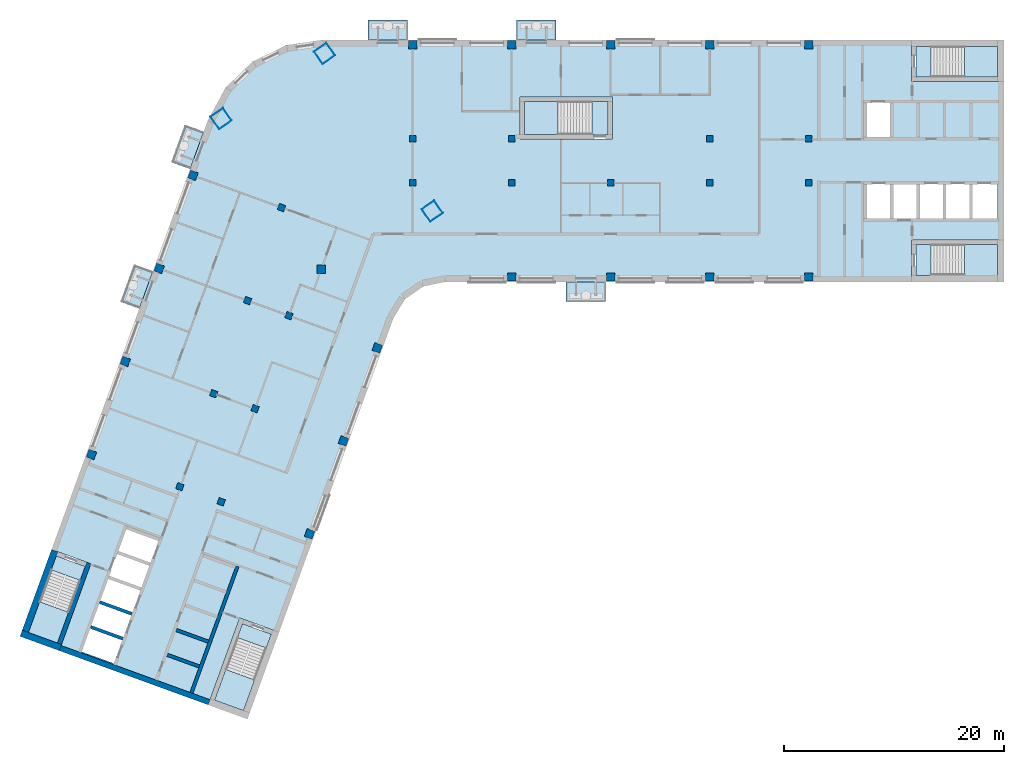
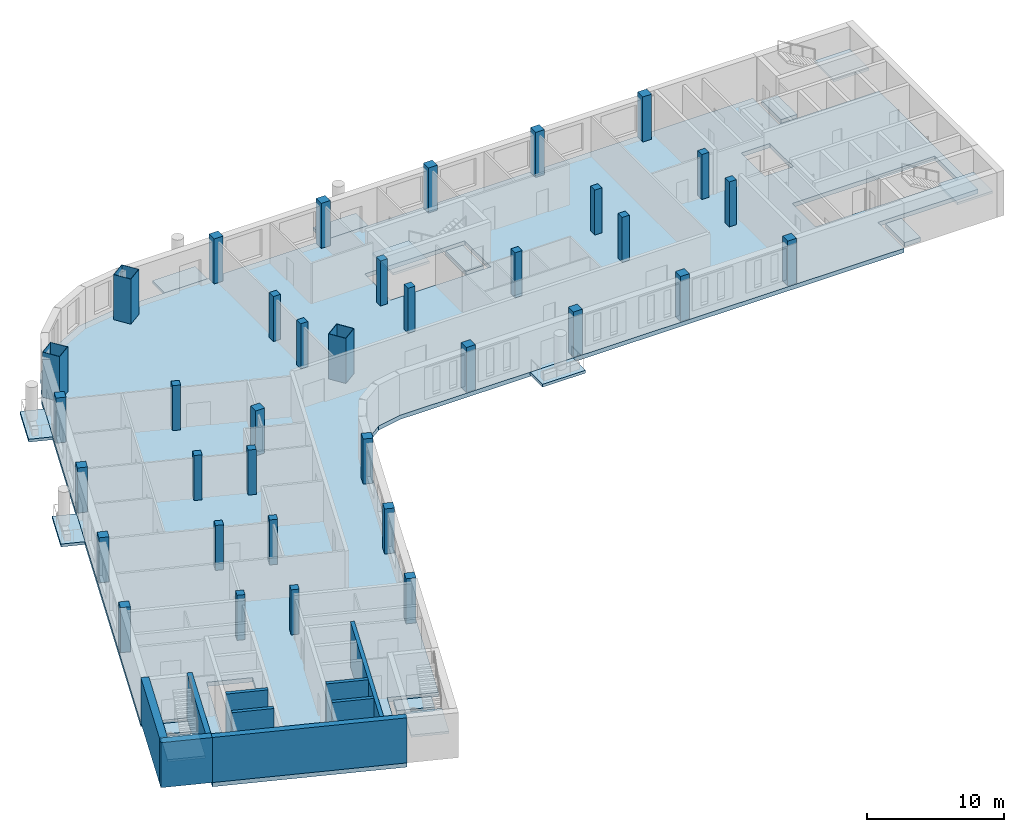
# One storey, part 1 of 10: 36 columns, 16 slabs, 9 walls, 5 elements without a shape of their own.
"""IFC4 building model written with IfcOpenShell, lengths in metres."""

from ifc_helpers import new_model, si_unit, direction, frame, frame_2d, origin, origin_2d, place, context, subcontext, project, spatial, polyline, rectangle, hollow_rectangle, outline, extrude, material, layer, layer_set, material_profile, profile_set, type_object, element, aggregate, save


model = new_model("IFC4")

# Units and contexts
model_context = context("Model", 3, precision=1e-05, world=origin(), true_north=direction((0.0, 1.0)))
body_context = subcontext(model_context, "Body", "Model", "MODEL_VIEW")
ifc_project = project(units=[si_unit("LENGTHUNIT", "METRE"), si_unit("AREAUNIT", "SQUARE_METRE"), si_unit("VOLUMEUNIT", "CUBIC_METRE"), si_unit("PLANEANGLEUNIT", "RADIAN"), si_unit("MASSUNIT", "GRAM", prefix="KILO")], contexts=[model_context])

# Site, building, storey
site_placement = place(None, origin())
site = spatial("IfcSite", under=ifc_project, at=site_placement, CompositionType="ELEMENT")
building_placement = place(site_placement, origin())
building = spatial("IfcBuilding", under=site, at=building_placement, Name="Skarvind Civic Tower", CompositionType="ELEMENT")
storey_placement = place(building_placement, frame((0.0, 0.0, 204.0)))
storey = spatial("IfcBuildingStorey", under=building, at=storey_placement, Name="L48", CompositionType="ELEMENT", Elevation=204.0)

# Columns
ifc_material_1 = material(Name="Concrete C60", Category="concrete")
ifc_material_profile_1 = material_profile(ifc_material_1, rectangle(XDim=0.60009765625, YDim=0.60009765625, at=origin_2d()), Name="RC-600x600")
ifc_profile_set_1 = profile_set([ifc_material_profile_1], Name="Concrete C60")
column_type_1 = type_object("IfcColumnType", Name="Column RC-600x600 C60", PredefinedType="COLUMN", material=ifc_profile_set_1)
for number, where, z_axis, x_axis, name in (
    (1, (54.25, 130.0, 0.0), (0.0, 0.0, 1.0), (1.0, 0.0, 0.0), "Column wing 1 north inner 02 L48"),
    (2, (63.25, 130.0, 0.0), (0.0, 0.0, 1.0), (1.0, 0.0, 0.0), "Column wing 1 north inner 03 L48"),
    (3, (81.25, 130.0, 0.0), (0.0, 0.0, 1.0), (1.0, 0.0, 0.0), "Column wing 1 north inner 05 L48"),
    (4, (90.25, 130.0, 0.0), (0.0, 0.0, 1.0), (1.0, 0.0, 0.0), "Column wing 1 north inner 06 L48"),
    (5, (54.25, 126.0, 0.0), (0.0, 0.0, 1.0), (1.0, 0.0, 0.0), "Column wing 1 south inner 02 L48"),
    (6, (63.25, 126.0, 0.0), (0.0, 0.0, 1.0), (1.0, 0.0, 0.0), "Column wing 1 south inner 03 L48"),
    (7, (72.25, 126.0, 0.0), (0.0, 0.0, 1.0), (1.0, 0.0, 0.0), "Column wing 1 south inner 04 L48"),
    (8, (81.25, 126.0, 0.0), (0.0, 0.0, 1.0), (1.0, 0.0, 0.0), "Column wing 1 south inner 05 L48"),
    (9, (90.25, 126.0, 0.0), (0.0, 0.0, 1.0), (1.0, 0.0, 0.0), "Column wing 1 south inner 06 L48"),
    (10, (43.005615234375, 113.92529296875, 0.0), (0.0, 0.0, 1.0), (-0.342020143326, -0.939692620786, 0.0), "Column wing 2 left inner 02 L48"),
    (11, (39.927490234375, 105.468017578125, 0.0), (0.0, 0.0, 1.0), (-0.342020143326, -0.939692620786, 0.0), "Column wing 2 left inner 03 L48"),
    (12, (36.84912109375, 97.010986328125, 0.0), (0.0, 0.0, 1.0), (-0.342020143326, -0.939692620786, 0.0), "Column wing 2 left inner 04 L48"),
    (13, (42.324951171875, 123.750732421875, 0.0), (0.0, 0.0, 1.0), (-0.342020143326, -0.939692620786, 0.0), "Column wing 2 right inner 01 L48"),
    (14, (39.246826171875, 115.29345703125, 0.0), (0.0, 0.0, 1.0), (-0.342020143326, -0.939692620786, 0.0), "Column wing 2 right inner 02 L48"),
    (15, (36.168701171875, 106.836181640625, 0.0), (0.0, 0.0, 1.0), (-0.342020143326, -0.939692620786, 0.0), "Column wing 2 right inner 03 L48"),
    (16, (33.090576171875, 98.37890625, 0.0), (0.0, 0.0, 1.0), (-0.342020143326, -0.939692620786, 0.0), "Column wing 2 right inner 04 L48"),
):
    element("IfcColumn", number, at=place(storey_placement, frame(where, z_axis=z_axis, x_axis=x_axis)), inside=storey, type_object=column_type_1, Name=name, PredefinedType="COLUMN", context=body_context, shape_type="SweptSolid", body=[
        extrude(rectangle(XDim=0.60009765625, YDim=0.60009765625, at=origin_2d()), origin(), (0.0, 0.0, 1.0), 4.0),
    ])
ifc_material_profile_2 = material_profile(ifc_material_1, rectangle(XDim=0.75, YDim=0.75, at=origin_2d()), Name="RC-750x750")
ifc_profile_set_2 = profile_set([ifc_material_profile_2], Name="Concrete C60")
column_type_2 = type_object("IfcColumnType", Name="Column RC-750x750 C60", PredefinedType="COLUMN", material=ifc_profile_set_2)
for number, where, z_axis, x_axis, name in (
    (17, (54.25, 138.550048828125, 0.0), (0.0, 0.0, 1.0), (1.0, 0.0, 0.0), "Column wing 1 north perimeter 02 L48"),
    (18, (63.25, 138.550048828125, 0.0), (0.0, 0.0, 1.0), (1.0, 0.0, 0.0), "Column wing 1 north perimeter 03 L48"),
    (19, (72.25, 138.550048828125, 0.0), (0.0, 0.0, 1.0), (1.0, 0.0, 0.0), "Column wing 1 north perimeter 04 L48"),
    (20, (81.25, 138.550048828125, 0.0), (0.0, 0.0, 1.0), (1.0, 0.0, 0.0), "Column wing 1 north perimeter 05 L48"),
    (21, (90.25, 138.550048828125, 0.0), (0.0, 0.0, 1.0), (1.0, 0.0, 0.0), "Column wing 1 north perimeter 06 L48"),
    (22, (45.95166015625, 118.151611328125, 0.0), (0.0, 0.0, 1.0), (1.0, 0.0, 0.0), "Column wing 1 south perimeter 01 L48"),
    (23, (63.25, 117.449951171875, 0.0), (0.0, 0.0, 1.0), (1.0, 0.0, 0.0), "Column wing 1 south perimeter 03 L48"),
    (24, (72.25, 117.449951171875, 0.0), (0.0, 0.0, 1.0), (1.0, 0.0, 0.0), "Column wing 1 south perimeter 04 L48"),
    (25, (81.25, 117.449951171875, 0.0), (0.0, 0.0, 1.0), (1.0, 0.0, 0.0), "Column wing 1 south perimeter 05 L48"),
    (26, (90.25, 117.449951171875, 0.0), (0.0, 0.0, 1.0), (1.0, 0.0, 0.0), "Column wing 1 south perimeter 06 L48"),
    (27, (51.0400390625, 111.0009765625, 0.0), (0.0, 0.0, 1.0), (-0.342020143326, -0.939692620786, 0.0), "Column wing 2 left perimeter 02 L48"),
    (28, (47.961669921875, 102.5439453125, 0.0), (0.0, 0.0, 1.0), (-0.342020143326, -0.939692620786, 0.0), "Column wing 2 left perimeter 03 L48"),
    (29, (44.883544921875, 94.086669921875, 0.0), (0.0, 0.0, 1.0), (-0.342020143326, -0.939692620786, 0.0), "Column wing 2 left perimeter 04 L48"),
    (30, (34.29052734375, 126.6748046875, 0.0), (0.0, 0.0, 1.0), (-0.342020143326, -0.939692620786, 0.0), "Column wing 2 right perimeter 01 L48"),
    (31, (31.21240234375, 118.2177734375, 0.0), (0.0, 0.0, 1.0), (-0.342020143326, -0.939692620786, 0.0), "Column wing 2 right perimeter 02 L48"),
    (32, (28.13427734375, 109.760498046875, 0.0), (0.0, 0.0, 1.0), (-0.342020143326, -0.939692620786, 0.0), "Column wing 2 right perimeter 03 L48"),
    (33, (25.05615234375, 101.30322265625, 0.0), (0.0, 0.0, 1.0), (-0.342020143326, -0.939692620786, 0.0), "Column wing 2 right perimeter 04 L48"),
):
    element("IfcColumn", number, at=place(storey_placement, frame(where, z_axis=z_axis, x_axis=x_axis)), inside=storey, type_object=column_type_2, Name=name, PredefinedType="COLUMN", context=body_context, shape_type="SweptSolid", body=[
        extrude(rectangle(XDim=0.75, YDim=0.75, at=origin_2d()), origin(), (0.0, 0.0, 1.0), 4.0),
    ])
ifc_material_2 = material(Name="Composite concrete-filled steel tube, Steel SM355 with Concrete C60", Category="concrete")
ifc_material_profile_3 = material_profile(ifc_material_2, hollow_rectangle(XDim=1.39990234375, YDim=1.39990234375, WallThickness=0.031982421875, at=origin_2d()), Name="BOX-1400x1400x32")
ifc_profile_set_3 = profile_set([ifc_material_profile_3], Name="Composite concrete-filled steel tube, Steel SM355 with Concrete C60")
column_type_3 = type_object("IfcColumnType", Name="Mega column BOX-1400x1400x32 filled C60", PredefinedType="COLUMN", material=ifc_profile_set_3)
for number, where, z_axis, x_axis, name in (
    (34, (36.845947265625, 131.837646484375, 0.0), (0.0, 0.0, 1.0), (0.573576436351, -0.819152044289, 0.0), "Mega column 1 L48"),
    (35, (46.2470703125, 137.762451171875, 0.0), (0.0, 0.0, 1.0), (0.573576436351, -0.819152044289, 0.0), "Mega column 2 L48"),
    (36, (56.0361328125, 123.43017578125, 0.0), (0.0, 0.0, 1.0), (0.573576436351, -0.819152044289, 0.0), "Mega column 4 L48"),
):
    element("IfcColumn", number, at=place(storey_placement, frame(where, z_axis=z_axis, x_axis=x_axis)), inside=storey, type_object=column_type_3, Name=name, PredefinedType="COLUMN", context=body_context, shape_type="SweptSolid", body=[
        extrude(hollow_rectangle(XDim=1.39990234375, YDim=1.39990234375, WallThickness=0.031982421875, at=origin_2d()), origin(), (0.0, 0.0, 1.0), 4.0),
    ])

# Slabs
ifc_material_3 = material(Name="Concrete C50", Category="concrete")
ifc_layer_1 = layer(ifc_material_3, 0.375)
ifc_layer_set_1 = layer_set([ifc_layer_1], Name="Floor slab 375 C50")
slab_type_1 = type_object("IfcSlabType", Name="Floor slab 375 C50", PredefinedType="FLOOR", material=ifc_layer_set_1)
slab_1_placement = place(storey_placement, frame((0.0, 0.0, -0.375)))
element("IfcSlab", 37, at=slab_1_placement, inside=storey, type_object=slab_type_1, Name="Floor slab L48 1", PredefinedType="FLOOR", context=body_context, shape_type="SweptSolid", body=[
    extrude(outline(polyline([(99.60009765625, 117.0), (99.60009765625, 120.800048828125), (108.0, 120.800048828125), (108.0, 135.199951171875), (99.60009765625, 135.199951171875), (99.60009765625, 139.0), (46.095458984375, 139.0), (42.739501953125, 138.5009765625), (39.6943359375, 137.005615234375), (37.24755859375, 134.6552734375), (35.630615234375, 131.672607421875), (19.41748046875, 87.126708984375), (21.435302734375, 92.6708984375), (25.006103515625, 91.371337890625), (22.13330078125, 83.477783203125), (36.886474609375, 78.108154296875), (35.664794921875, 78.552734375), (38.53759765625, 86.4462890625), (42.108642578125, 85.146484375), (40.0908203125, 79.602294921875), (40.0908203125, 79.602294921875), (52.493896484375, 113.68017578125), (53.560791015625, 115.421630859375), (55.23388671875, 116.593017578125), (57.235107421875, 117.0), (99.60009765625, 117.0)]), holes=[polyline([(25.671630859375, 87.9365234375), (26.492431640625, 90.19189453125), (27.313232421875, 92.447021484375), (28.134033203125, 94.702392578125), (31.3291015625, 93.53955078125), (30.50830078125, 91.2841796875), (29.6875, 89.029052734375), (28.866455078125, 86.773681640625), (28.866455078125, 86.773681640625), (28.045654296875, 84.5185546875), (27.224853515625, 82.26318359375), (24.02978515625, 83.426025390625), (24.8505859375, 85.681396484375), (25.671630859375, 87.9365234375), (25.671630859375, 87.9365234375)]), polyline([(64.0, 130.0), (64.0, 133.800048828125), (72.39990234375, 133.800048828125), (72.39990234375, 130.0), (64.0, 130.0)]), polyline([(97.800048828125, 126.0), (100.199951171875, 126.0), (102.60009765625, 126.0), (105.0, 126.0), (107.39990234375, 126.0), (107.39990234375, 122.60009765625), (105.0, 122.60009765625), (102.60009765625, 122.60009765625), (100.199951171875, 122.60009765625), (97.800048828125, 122.60009765625), (95.39990234375, 122.60009765625), (95.39990234375, 126.0), (97.800048828125, 126.0)]), polyline([(97.800048828125, 133.39990234375), (97.800048828125, 130.0), (95.39990234375, 130.0), (95.39990234375, 133.39990234375), (97.800048828125, 133.39990234375)])]), origin(), (0.0, 0.0, 1.0), 0.375),
])
ifc_material_4 = material(Name="Precast concrete C40/50", Category="concrete")
ifc_layer_2 = layer(ifc_material_4, 0.25)
ifc_layer_set_2 = layer_set([ifc_layer_2], Name="SX3 BALCONY SLAB 250")
slab_type_2 = type_object("IfcSlabType", Name="SX3 BALCONY SLAB 250", PredefinedType="FLOOR", material=ifc_layer_set_2)
slab_2_placement = place(storey_placement, frame((0.0, 0.0, -0.25)))
element("IfcSlab", 38, at=slab_2_placement, inside=storey, type_object=slab_type_2, Name="TREE BALCONY SLAB", PredefinedType="FLOOR", context=body_context, shape_type="SweptSolid", body=[
    extrude(outline(polyline([(71.800048828125, 117.0), (68.199951171875, 117.0), (68.199951171875, 115.199951171875), (71.800048828125, 115.199951171875), (71.800048828125, 117.0)])), origin(), (0.0, 0.0, 1.0), 0.25),
])
slab_3_placement = place(storey_placement, frame((0.0, 0.0, -0.25)))
element("IfcSlab", 39, at=slab_3_placement, inside=storey, type_object=slab_type_2, Name="TREE BALCONY SLAB", PredefinedType="FLOOR", context=body_context, shape_type="SweptSolid", body=[
    extrude(outline(polyline([(50.199951171875, 139.0), (53.800048828125, 139.0), (53.800048828125, 140.800048828125), (50.199951171875, 140.800048828125), (50.199951171875, 139.0)])), origin(), (0.0, 0.0, 1.0), 0.25),
])
slab_4_placement = place(storey_placement, frame((0.0, 0.0, -0.25)))
element("IfcSlab", 40, at=slab_4_placement, inside=storey, type_object=slab_type_2, Name="TREE BALCONY SLAB", PredefinedType="FLOOR", context=body_context, shape_type="SweptSolid", body=[
    extrude(outline(polyline([(63.699951171875, 139.0), (67.300048828125, 139.0), (67.300048828125, 140.800048828125), (63.699951171875, 140.800048828125), (63.699951171875, 139.0)])), origin(), (0.0, 0.0, 1.0), 0.25),
])
slab_5_placement = place(storey_placement, frame((0.0, 0.0, -0.25)))
element("IfcSlab", 41, at=slab_5_placement, inside=storey, type_object=slab_type_2, Name="TREE BALCONY SLAB", PredefinedType="FLOOR", context=body_context, shape_type="SweptSolid", body=[
    extrude(outline(polyline([(29.404296875, 114.56591796875), (30.6357421875, 117.94873046875), (28.9443359375, 118.564453125), (27.712890625, 115.181396484375), (29.404296875, 114.56591796875)])), origin(), (0.0, 0.0, 1.0), 0.25),
])
slab_6_placement = place(storey_placement, frame((0.0, 0.0, -0.25)))
element("IfcSlab", 42, at=slab_6_placement, inside=storey, type_object=slab_type_2, Name="TREE BALCONY SLAB", PredefinedType="FLOOR", context=body_context, shape_type="SweptSolid", body=[
    extrude(outline(polyline([(34.021728515625, 127.251708984375), (35.2529296875, 130.634521484375), (33.5615234375, 131.250244140625), (32.330322265625, 127.867431640625), (34.021728515625, 127.251708984375)])), origin(), (0.0, 0.0, 1.0), 0.25),
])
ifc_material_5 = material(Name="Concrete C40/50", Category="concrete")
ifc_layer_3 = layer(ifc_material_5, 0.375)
ifc_layer_set_3 = layer_set([ifc_layer_3], Name="Stair floor landing slab 375")
slab_type_3 = type_object("IfcSlabType", Name="Stair floor landing slab 375", PredefinedType="LANDING", material=ifc_layer_set_3)
slab_7_placement = place(storey_placement, frame((0.0, 0.0, -0.375)))
element("IfcSlab", 43, at=slab_7_placement, inside=storey, type_object=slab_type_3, Name="Stair floor landing", PredefinedType="LANDING", context=body_context, shape_type="SweptSolid", body=[
    extrude(outline(polyline([(101.3505859375, 138.400634765625), (101.3505859375, 135.599365234375), (99.99951171875, 135.599365234375), (99.99951171875, 138.400634765625), (101.3505859375, 138.400634765625)])), origin(), (0.0, 0.0, 1.0), 0.375),
])
slab_8_placement = place(storey_placement, frame((0.0, 0.0, -0.375)))
element("IfcSlab", 44, at=slab_8_placement, inside=storey, type_object=slab_type_3, Name="Stair floor landing", PredefinedType="LANDING", context=body_context, shape_type="SweptSolid", body=[
    extrude(outline(polyline([(101.3505859375, 120.400634765625), (101.3505859375, 117.599365234375), (99.99951171875, 117.599365234375), (99.99951171875, 120.400634765625), (101.3505859375, 120.400634765625)])), origin(), (0.0, 0.0, 1.0), 0.375),
])
slab_9_placement = place(storey_placement, frame((0.0, 0.0, -0.375)))
element("IfcSlab", 45, at=slab_9_placement, inside=storey, type_object=slab_type_3, Name="Stair floor landing", PredefinedType="LANDING", context=body_context, shape_type="SweptSolid", body=[
    extrude(outline(polyline([(40.946533203125, 83.70654296875), (38.314208984375, 84.66455078125), (38.7763671875, 85.934326171875), (41.40869140625, 84.976318359375), (40.946533203125, 83.70654296875)])), origin(), (0.0, 0.0, 1.0), 0.375),
])
slab_10_placement = place(storey_placement, frame((0.0, 0.0, -0.375)))
element("IfcSlab", 46, at=slab_10_placement, inside=storey, type_object=slab_type_3, Name="Stair floor landing", PredefinedType="LANDING", context=body_context, shape_type="SweptSolid", body=[
    extrude(outline(polyline([(24.0322265625, 89.863037109375), (21.39990234375, 90.821044921875), (21.862060546875, 92.090576171875), (24.494384765625, 91.132568359375), (24.0322265625, 89.863037109375)])), origin(), (0.0, 0.0, 1.0), 0.375),
])
slab_11_placement = place(storey_placement, frame((0.0, 0.0, -0.375)))
element("IfcSlab", 47, at=slab_11_placement, inside=storey, type_object=slab_type_3, Name="Stair floor landing", PredefinedType="LANDING", context=body_context, shape_type="SweptSolid", body=[
    extrude(outline(polyline([(70.54931640625, 130.3994140625), (70.54931640625, 133.400634765625), (72.00048828125, 133.400634765625), (72.00048828125, 130.3994140625), (70.54931640625, 130.3994140625)])), origin(), (0.0, 0.0, 1.0), 0.375),
])

# Stair, slab
stair_type_1 = type_object("IfcStairType", Name="Exit stair, half-turn, concrete", PredefinedType="HALF_TURN_STAIR", material=ifc_material_5)
stair_1_placement = place(storey_placement, origin())
stair_1 = element("IfcStair", 48, at=stair_1_placement, inside=storey, type_object=stair_type_1, Name="Exit stair C1S", PredefinedType="HALF_TURN_STAIR")
ifc_layer_4 = layer(ifc_material_5, 0.199951171875)
ifc_layer_set_4 = layer_set([ifc_layer_4], Name="Stair half landing slab")
slab_type_4 = type_object("IfcSlabType", Name="Stair half landing slab", PredefinedType="LANDING", material=ifc_layer_set_4)
slab_12_placement = place(storey_placement, frame((0.0, 0.0, 1.800048828125)))
slab_12 = element("IfcSlab", 49, at=slab_12_placement, type_object=slab_type_4, Name="ST-C1S landing 1", PredefinedType="LANDING", context=body_context, shape_type="SweptSolid", body=[
    extrude(outline(polyline([(104.429443359375, 135.599365234375), (104.429443359375, 138.400634765625), (107.400634765625, 138.400634765625), (107.400634765625, 135.599365234375), (104.429443359375, 135.599365234375)])), origin(), (0.0, 0.0, 1.0), 0.199951171875),
])
aggregate(stair_1, [slab_12])

stair_2_placement = place(storey_placement, origin())
stair_2 = element("IfcStair", 50, at=stair_2_placement, inside=storey, type_object=stair_type_1, Name="Exit stair C1N", PredefinedType="HALF_TURN_STAIR")
slab_13_placement = place(storey_placement, frame((0.0, 0.0, 1.800048828125)))
slab_13 = element("IfcSlab", 51, at=slab_13_placement, type_object=slab_type_4, Name="ST-C1N landing 1", PredefinedType="LANDING", context=body_context, shape_type="SweptSolid", body=[
    extrude(outline(polyline([(104.429443359375, 117.599365234375), (104.429443359375, 120.400634765625), (107.400634765625, 120.400634765625), (107.400634765625, 117.599365234375), (104.429443359375, 117.599365234375)])), origin(), (0.0, 0.0, 1.0), 0.199951171875),
])
aggregate(stair_2, [slab_13])

stair_3_placement = place(storey_placement, origin())
stair_3 = element("IfcStair", 52, at=stair_3_placement, inside=storey, type_object=stair_type_1, Name="Exit stair C2S", PredefinedType="HALF_TURN_STAIR")
slab_14_placement = place(storey_placement, frame((0.0, 0.0, 1.800048828125)))
slab_14 = element("IfcSlab", 53, at=slab_14_placement, type_object=slab_type_4, Name="ST-C2S landing 1", PredefinedType="LANDING", context=body_context, shape_type="SweptSolid", body=[
    extrude(outline(polyline([(37.26123046875, 81.771484375), (39.8935546875, 80.8134765625), (38.87744140625, 78.021484375), (36.2451171875, 78.9794921875), (37.26123046875, 81.771484375)])), origin(), (0.0, 0.0, 1.0), 0.199951171875),
])
aggregate(stair_3, [slab_14])

stair_4_placement = place(storey_placement, origin())
stair_4 = element("IfcStair", 54, at=stair_4_placement, inside=storey, type_object=stair_type_1, Name="Exit stair C2N", PredefinedType="HALF_TURN_STAIR")
slab_15_placement = place(storey_placement, frame((0.0, 0.0, 1.800048828125)))
slab_15 = element("IfcSlab", 55, at=slab_15_placement, type_object=slab_type_4, Name="ST-C2N landing 1", PredefinedType="LANDING", context=body_context, shape_type="SweptSolid", body=[
    extrude(outline(polyline([(20.346923828125, 87.927734375), (22.97900390625, 86.9697265625), (21.962890625, 84.177734375), (19.33056640625, 85.1357421875), (20.346923828125, 87.927734375)])), origin(), (0.0, 0.0, 1.0), 0.199951171875),
])
aggregate(stair_4, [slab_15])

stair_type_2 = type_object("IfcStairType", Name="Exit stair 1450, half-turn, concrete", PredefinedType="HALF_TURN_STAIR", material=ifc_material_5)
stair_5_placement = place(storey_placement, origin())
stair_5 = element("IfcStair", 56, at=stair_5_placement, inside=storey, type_object=stair_type_2, Name="Exit stair CM", PredefinedType="HALF_TURN_STAIR")
slab_16_placement = place(storey_placement, frame((0.0, 0.0, 1.800048828125)))
slab_16 = element("IfcSlab", 57, at=slab_16_placement, type_object=slab_type_4, Name="ST-CM landing 1", PredefinedType="LANDING", context=body_context, shape_type="SweptSolid", body=[
    extrude(outline(polyline([(67.470703125, 133.400634765625), (67.470703125, 130.3994140625), (64.3994140625, 130.3994140625), (64.3994140625, 133.400634765625), (67.470703125, 133.400634765625)])), origin(), (0.0, 0.0, 1.0), 0.199951171875),
])
aggregate(stair_5, [slab_16])

# Walls
ifc_layer_5 = layer(ifc_material_1, 0.300048828125)
ifc_layer_set_5 = layer_set([ifc_layer_5], Name="Core wall 300 C60")
wall_type_1 = type_object("IfcWallType", Name="Core wall 300 C60", PredefinedType="SHEAR", material=ifc_layer_set_5)
wall_1_placement = place(storey_placement, frame((34.144287109375, 79.638427734375, 0.0), z_axis=(0.0, 0.0, 1.0), x_axis=(0.342016684409, 0.939693879721, 0.0)))
element("IfcWall", 58, at=wall_1_placement, inside=storey, type_object=wall_type_1, Name="Core wall C2 south lift row back L48", PredefinedType="SHEAR", context=body_context, shape_type="SweptSolid", body=[
    extrude(rectangle(XDim=12.25, YDim=0.300048828125, at=frame_2d((6.125, 0.0))), origin(), (0.0, 0.0, 1.0), 4.0),
])
wall_2_placement = place(storey_placement, frame((34.8583984375, 82.038818359375, 0.0), z_axis=(0.0, 0.0, 1.0), x_axis=(-0.939689908313, 0.342027595692, 0.0)))
element("IfcWall", 59, at=wall_2_placement, inside=storey, type_object=wall_type_1, Name="Core wall C2 south lift row division 1 L48", PredefinedType="SHEAR", context=body_context, shape_type="SweptSolid", body=[
    extrude(rectangle(XDim=3.10009765625, YDim=0.300048828125, at=frame_2d((1.550048828125, 0.0))), origin(), (0.0, 0.0, 1.0), 4.0),
])
wall_3_placement = place(storey_placement, frame((35.67919921875, 84.294189453125, 0.0), z_axis=(0.0, 0.0, 1.0), x_axis=(-0.939706007505, 0.341983361377, 0.0)))
element("IfcWall", 60, at=wall_3_placement, inside=storey, type_object=wall_type_1, Name="Core wall C2 south lift row division 2 L48", PredefinedType="SHEAR", context=body_context, shape_type="SweptSolid", body=[
    extrude(rectangle(XDim=3.099853515625, YDim=0.300048828125, at=frame_2d((1.5498046875, 0.0))), origin(), (0.0, 0.0, 1.0), 4.0),
])
for number, where, z_axis, x_axis, name in (
    (61, (27.90478515625, 84.56982421875, 0.0), (0.0, 0.0, 1.0), (-0.939689908313, 0.342027595692, 0.0), "Core wall C2 north lift row division 1 L48"),
    (62, (28.7255859375, 86.824951171875, 0.0), (0.0, 0.0, 1.0), (-0.939689908313, 0.342027595692, 0.0), "Core wall C2 north lift row division 2 L48"),
):
    element("IfcWall", number, at=place(storey_placement, frame(where, z_axis=z_axis, x_axis=x_axis)), inside=storey, type_object=wall_type_1, Name=name, PredefinedType="SHEAR", context=body_context, shape_type="SweptSolid", body=[
        extrude(rectangle(XDim=3.10009765625, YDim=0.300048828125, at=frame_2d((1.550048828125, 0.0))), origin(), (0.0, 0.0, 1.0), 4.0),
    ])
ifc_layer_6 = layer(ifc_material_1, 0.39990234375)
ifc_layer_set_6 = layer_set([ifc_layer_6], Name="Core wall 400 C60")
wall_type_2 = type_object("IfcWallType", Name="Core wall 400 C60", PredefinedType="SHEAR", material=ifc_layer_set_6)
wall_4_placement = place(storey_placement, frame((22.150390625, 84.110107421875, 0.0), z_axis=(0.0, 0.0, 1.0), x_axis=(0.342016982193, 0.939693771338, 0.0)))
element("IfcWall", 63, at=wall_4_placement, inside=storey, type_object=wall_type_2, Name="Core wall C2 north stair inner L48", PredefinedType="SHEAR", context=body_context, shape_type="SweptSolid", body=[
    extrude(rectangle(XDim=7.800048828125, YDim=0.39990234375, at=frame_2d((3.89990234375, 0.0))), origin(), (0.0, 0.0, 1.0), 4.0),
])
ifc_layer_7 = layer(ifc_material_1, 0.5)
ifc_layer_set_7 = layer_set([ifc_layer_7], Name="Core wall 500 C60")
wall_type_3 = type_object("IfcWallType", Name="Core wall 500 C60", PredefinedType="SHEAR", material=ifc_layer_set_7)
wall_5_placement = place(storey_placement, frame((35.750244140625, 78.787841796875, 0.0), z_axis=(0.0, 0.0, 1.0), x_axis=(-0.939692894512, 0.342019391267, 0.0)))
element("IfcWall", 64, at=wall_5_placement, inside=storey, type_object=wall_type_3, Name="Core wall C2 tip between the stairs L48", PredefinedType="SHEAR", context=body_context, shape_type="SweptSolid", body=[
    extrude(rectangle(XDim=14.39990234375, YDim=0.5, at=frame_2d((7.199951171875, 0.0))), origin(), (0.0, 0.0, 1.0), 4.0),
])
ifc_layer_8 = layer(ifc_material_1, 0.60009765625)
ifc_layer_set_8 = layer_set([ifc_layer_8], Name="Core wall 600 C60")
wall_type_4 = type_object("IfcWallType", Name="Core wall 600 C60", PredefinedType="SHEAR", material=ifc_layer_set_8)
wall_6_placement = place(storey_placement, frame((22.23583984375, 83.759765625, 0.0), z_axis=(0.0, 0.0, 1.0), x_axis=(-0.939680822529, 0.342052557032, 0.0)))
element("IfcWall", 65, at=wall_6_placement, inside=storey, type_object=wall_type_4, Name="Core wall C2 tip at the north stair L48", PredefinedType="SHEAR", context=body_context, shape_type="SweptSolid", body=[
    extrude(rectangle(XDim=3.800048828125, YDim=0.60009765625, at=frame_2d((1.89990234375, 0.0))), origin(), (0.0, 0.0, 1.0), 4.0),
])
wall_7_placement = place(storey_placement, frame((19.049560546875, 85.23876953125, 0.0), z_axis=(0.0, 0.0, 1.0), x_axis=(0.342016982193, 0.939693771338, 0.0)))
element("IfcWall", 66, at=wall_7_placement, inside=storey, type_object=wall_type_4, Name="Core wall C2 north side at the stair L48", PredefinedType="SHEAR", context=body_context, shape_type="SweptSolid", body=[
    extrude(rectangle(XDim=7.800048828125, YDim=0.60009765625, at=frame_2d((3.89990234375, 0.0))), origin(), (0.0, 0.0, 1.0), 4.0),
])

save(model, "model.ifc")
